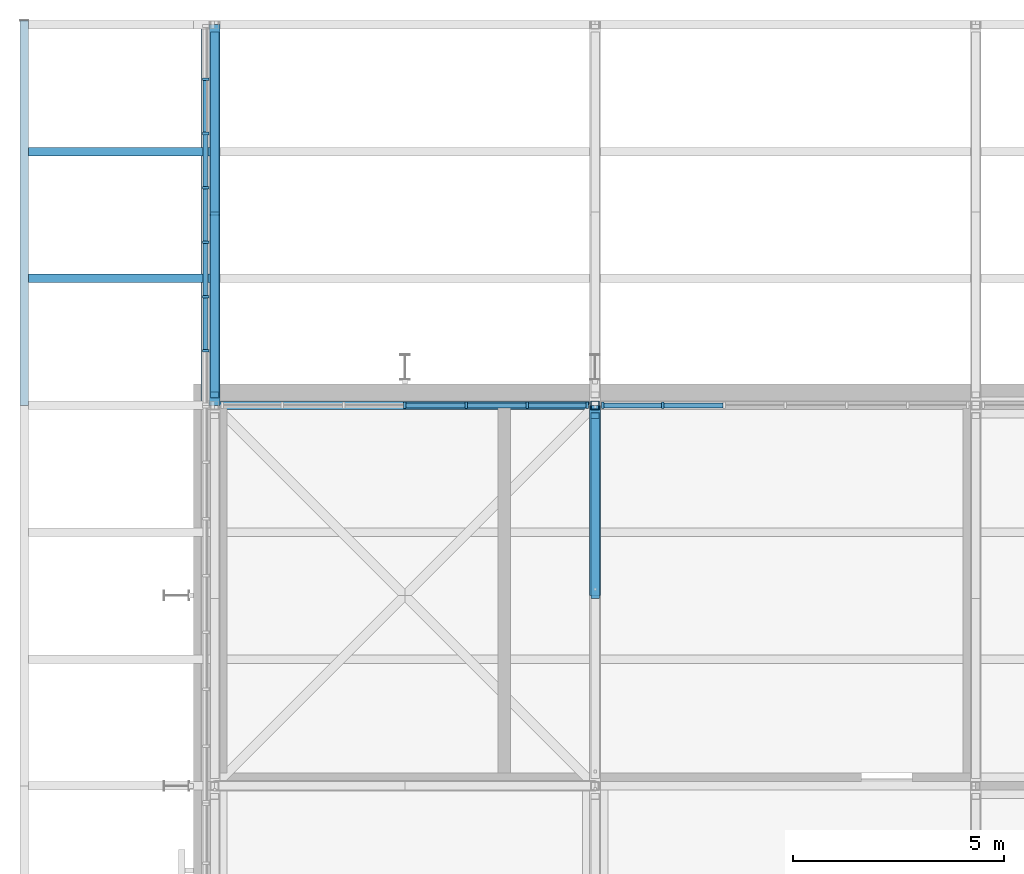
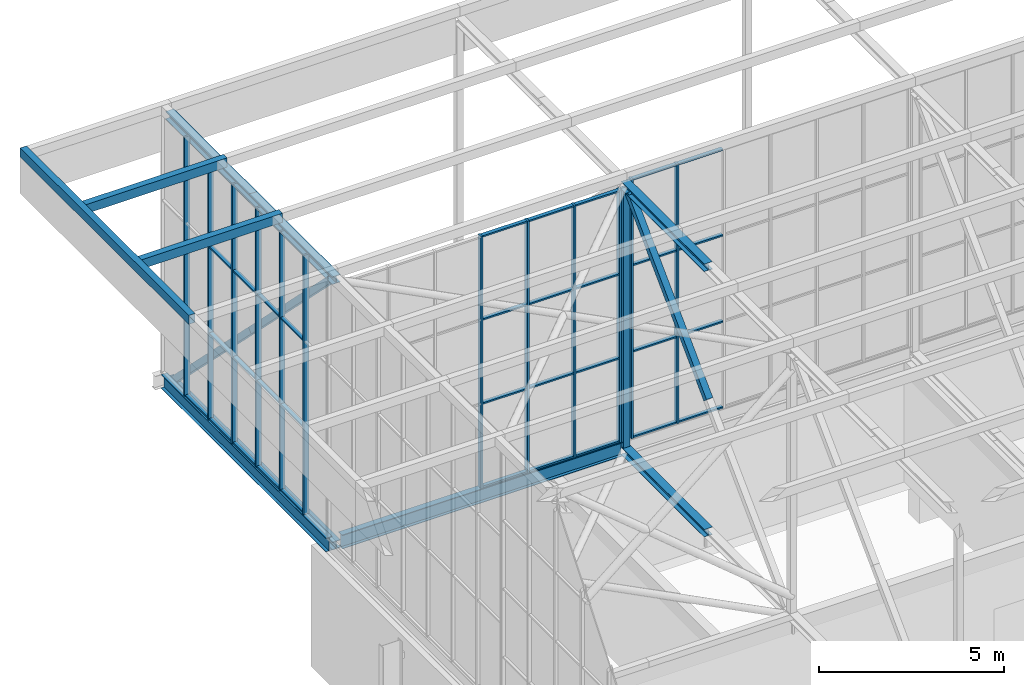
# One storey, part 113 of 646: 63 members, 2 beams, 3 elements without a shape of their own.
"""IFC4 building model written with IfcOpenShell, lengths in metres."""

from ifc_helpers import new_model, si_unit, direction, frame, origin, origin_2d, place, context, subcontext, project, spatial, rectangle, hollow_rectangle, i_section, extrude, material, material_profile, profile_set, type_object, element, aggregate, save


model = new_model("IFC4")

# Units and contexts
model_context = context("Model", 3, precision=1e-05, world=origin(), true_north=direction((0.0, 1.0)))
body_context = subcontext(model_context, "Body", "Model", "MODEL_VIEW")
ifc_project = project(units=[si_unit("LENGTHUNIT", "METRE"), si_unit("AREAUNIT", "SQUARE_METRE"), si_unit("VOLUMEUNIT", "CUBIC_METRE"), si_unit("PLANEANGLEUNIT", "RADIAN"), si_unit("MASSUNIT", "GRAM", prefix="KILO")], contexts=[model_context])

# Site, building, storey
site_placement = place(None, origin())
site = spatial("IfcSite", under=ifc_project, at=site_placement, CompositionType="ELEMENT")
building_placement = place(site_placement, origin())
building = spatial("IfcBuilding", under=site, at=building_placement, Name="Silverbay Arena", CompositionType="ELEMENT")
storey_placement = place(building_placement, frame((0.0, 0.0, 33.5)))
storey = spatial("IfcBuildingStorey", under=building, at=storey_placement, Name="L05", CompositionType="ELEMENT", Elevation=33.5)

# Curtain wall, members
ifc_material_1 = material(Name="Aluminium framed glazing", Category="aluminium")
curtain_wall_type_1 = type_object("IfcCurtainWallType", Name="Curtain wall clerestory 8693 x 8303", PredefinedType="NOTDEFINED", material=ifc_material_1)
curtain_wall_1_placement = place(storey_placement, origin())
curtain_wall_1 = element("IfcCurtainWall", 1, at=curtain_wall_1_placement, inside=storey, type_object=curtain_wall_type_1, Name="ROOF CLERESTORY CURTAIN WALL north bay 01", PredefinedType="NOTDEFINED")
ifc_material_2 = material(Name="Aluminium", Category="aluminium")
ifc_material_profile_1 = material_profile(ifc_material_2, rectangle(XDim=0.159912109375, YDim=0.06005859375, at=origin_2d()), Name="Mullion 60 x 160")
ifc_profile_set_1 = profile_set([ifc_material_profile_1], Name="Aluminium")
member_type_1 = type_object("IfcMemberType", Name="Mullion 60 x 160", PredefinedType="MULLION", material=ifc_profile_set_1)
member_1_placement = place(storey_placement, frame((58.5, 144.0, 4.4599609375), z_axis=(0.0, 0.0, 1.0), x_axis=(0.0, 1.0, 0.0)))
member_1 = element("IfcMember", 2, at=member_1_placement, type_object=member_type_1, Name="CW54 mullion 4", PredefinedType="MULLION", context=body_context, shape_type="SweptSolid", body=[
    extrude(rectangle(XDim=0.159912109375, YDim=0.06005859375, at=origin_2d()), origin(), (0.0, 0.0, 1.0), 8.303466796875),
])
member_2_placement = place(storey_placement, frame((59.94873046875, 144.0, 4.4599609375), z_axis=(0.0, 0.0, 1.0), x_axis=(0.0, 1.0, 0.0)))
member_2 = element("IfcMember", 3, at=member_2_placement, type_object=member_type_1, Name="CW54 mullion 5", PredefinedType="MULLION", context=body_context, shape_type="SweptSolid", body=[
    extrude(rectangle(XDim=0.159912109375, YDim=0.06005859375, at=origin_2d()), origin(), (0.0, 0.0, 1.0), 8.303466796875),
])
member_3_placement = place(storey_placement, frame((61.3974609375, 144.0, 4.4599609375), z_axis=(0.0, 0.0, 1.0), x_axis=(0.0, 1.0, 0.0)))
member_3 = element("IfcMember", 4, at=member_3_placement, type_object=member_type_1, Name="CW54 mullion 6", PredefinedType="MULLION", context=body_context, shape_type="SweptSolid", body=[
    extrude(rectangle(XDim=0.159912109375, YDim=0.06005859375, at=origin_2d()), origin(), (0.0, 0.0, 1.0), 8.303466796875),
])
member_4_placement = place(storey_placement, frame((62.81640625, 144.0, 4.4599609375), z_axis=(0.0, 0.0, 1.0), x_axis=(0.0, 1.0, 0.0)))
member_4 = element("IfcMember", 5, at=member_4_placement, type_object=member_type_1, Name="CW54 mullion 7", PredefinedType="MULLION", context=body_context, shape_type="SweptSolid", body=[
    extrude(rectangle(XDim=0.159912109375, YDim=0.06005859375, at=origin_2d()), origin(), (0.0, 0.0, 1.0), 8.303466796875),
])

ifc_material_3 = material(Name="Aluminium framed glazing", Category="aluminium")
curtain_wall_type_2 = type_object("IfcCurtainWallType", Name="Curtain wall clerestory 8693 x 8540", PredefinedType="NOTDEFINED", material=ifc_material_3)
curtain_wall_2_placement = place(storey_placement, origin())
curtain_wall_2 = element("IfcCurtainWall", 6, at=curtain_wall_2_placement, inside=storey, type_object=curtain_wall_type_2, Name="ROOF CLERESTORY CURTAIN WALL north bay 02", PredefinedType="NOTDEFINED")
member_5_placement = place(storey_placement, frame((63.18359375, 144.0, 4.4599609375), z_axis=(0.0, 0.0, 1.0), x_axis=(0.0, 1.0, 0.0)))
member_5 = element("IfcMember", 7, at=member_5_placement, type_object=member_type_1, Name="CW55 mullion 1", PredefinedType="MULLION", context=body_context, shape_type="SweptSolid", body=[
    extrude(rectangle(XDim=0.159912109375, YDim=0.06005859375, at=origin_2d()), origin(), (0.0, 0.0, 1.0), 8.5400390625),
])
member_6_placement = place(storey_placement, frame((64.6025390625, 144.0, 4.4599609375), z_axis=(0.0, 0.0, 1.0), x_axis=(0.0, 1.0, 0.0)))
member_6 = element("IfcMember", 8, at=member_6_placement, type_object=member_type_1, Name="CW55 mullion 2", PredefinedType="MULLION", context=body_context, shape_type="SweptSolid", body=[
    extrude(rectangle(XDim=0.159912109375, YDim=0.06005859375, at=origin_2d()), origin(), (0.0, 0.0, 1.0), 8.5400390625),
])

ifc_material_4 = material(Name="Aluminium framed glazing", Category="aluminium")
curtain_wall_type_3 = type_object("IfcCurtainWallType", Name="Curtain wall clerestory 9000 x 8547", PredefinedType="NOTDEFINED", material=ifc_material_4)
curtain_wall_3_placement = place(storey_placement, origin())
curtain_wall_3 = element("IfcCurtainWall", 9, at=curtain_wall_3_placement, inside=storey, type_object=curtain_wall_type_3, Name="ROOF GABLE CLERESTORY CURTAIN WALL west bay 16", PredefinedType="NOTDEFINED")
member_7_placement = place(storey_placement, frame((53.7900390625, 145.28564453125, 4.453369140625), z_axis=(0.0, 0.0, 1.0), x_axis=(-1.0, 0.0, 0.0)))
member_7 = element("IfcMember", 10, at=member_7_placement, type_object=member_type_1, Name="CW57 mullion 2", PredefinedType="MULLION", context=body_context, shape_type="SweptSolid", body=[
    extrude(rectangle(XDim=0.159912109375, YDim=0.06005859375, at=origin_2d()), origin(), (0.0, 0.0, 1.0), 8.546630859375),
])
member_8_placement = place(storey_placement, frame((53.7900390625, 146.571533203125, 4.453369140625), z_axis=(0.0, 0.0, 1.0), x_axis=(-1.0, 0.0, 0.0)))
member_8 = element("IfcMember", 11, at=member_8_placement, type_object=member_type_1, Name="CW57 mullion 3", PredefinedType="MULLION", context=body_context, shape_type="SweptSolid", body=[
    extrude(rectangle(XDim=0.159912109375, YDim=0.06005859375, at=origin_2d()), origin(), (0.0, 0.0, 1.0), 8.546630859375),
])
member_9_placement = place(storey_placement, frame((53.7900390625, 147.857177734375, 4.453369140625), z_axis=(0.0, 0.0, 1.0), x_axis=(-1.0, 0.0, 0.0)))
member_9 = element("IfcMember", 12, at=member_9_placement, type_object=member_type_1, Name="CW57 mullion 4", PredefinedType="MULLION", context=body_context, shape_type="SweptSolid", body=[
    extrude(rectangle(XDim=0.159912109375, YDim=0.06005859375, at=origin_2d()), origin(), (0.0, 0.0, 1.0), 8.546630859375),
])
member_10_placement = place(storey_placement, frame((53.7900390625, 149.142822265625, 4.453369140625), z_axis=(0.0, 0.0, 1.0), x_axis=(-1.0, 0.0, 0.0)))
member_10 = element("IfcMember", 13, at=member_10_placement, type_object=member_type_1, Name="CW57 mullion 5", PredefinedType="MULLION", context=body_context, shape_type="SweptSolid", body=[
    extrude(rectangle(XDim=0.159912109375, YDim=0.06005859375, at=origin_2d()), origin(), (0.0, 0.0, 1.0), 8.546630859375),
])
member_11_placement = place(storey_placement, frame((53.7900390625, 150.428466796875, 4.453369140625), z_axis=(0.0, 0.0, 1.0), x_axis=(-1.0, 0.0, 0.0)))
member_11 = element("IfcMember", 14, at=member_11_placement, type_object=member_type_1, Name="CW57 mullion 6", PredefinedType="MULLION", context=body_context, shape_type="SweptSolid", body=[
    extrude(rectangle(XDim=0.159912109375, YDim=0.06005859375, at=origin_2d()), origin(), (0.0, 0.0, 1.0), 8.546630859375),
])
member_12_placement = place(storey_placement, frame((53.7900390625, 151.71435546875, 4.453369140625), z_axis=(0.0, 0.0, 1.0), x_axis=(-1.0, 0.0, 0.0)))
member_12 = element("IfcMember", 15, at=member_12_placement, type_object=member_type_1, Name="CW57 mullion 7", PredefinedType="MULLION", context=body_context, shape_type="SweptSolid", body=[
    extrude(rectangle(XDim=0.159912109375, YDim=0.06005859375, at=origin_2d()), origin(), (0.0, 0.0, 1.0), 8.546630859375),
])

# Members
ifc_material_5 = material(Name="Steel S355", Category="steel")
ifc_material_profile_2 = material_profile(ifc_material_5, hollow_rectangle(XDim=0.199951171875, YDim=0.300048828125, WallThickness=0.008056640625, at=origin_2d()), Name="RHS 300x200x8")
ifc_profile_set_2 = profile_set([ifc_material_profile_2], Name="Steel S355")
member_type_2 = type_object("IfcMemberType", Name="Purlin RHS 300x200x8", PredefinedType="PURLIN", material=ifc_profile_set_2)
for number, where, z_axis, x_axis, name in (
    (16, (49.60009765625, 147.0, 13.14990234375), (1.0, 0.0, 0.0), (0.0, 1.0, 0.0), "ROOF PURLIN west eave line 47"),
    (17, (49.60009765625, 150.0, 13.14990234375), (1.0, 0.0, 0.0), (0.0, 1.0, 0.0), "ROOF PURLIN west eave line 48"),
):
    element("IfcMember", number, at=place(storey_placement, frame(where, z_axis=z_axis, x_axis=x_axis)), inside=storey, type_object=member_type_2, Name=name, PredefinedType="PURLIN", context=body_context, shape_type="SweptSolid", body=[
        extrude(hollow_rectangle(XDim=0.199951171875, YDim=0.300048828125, WallThickness=0.008056640625, at=origin_2d()), origin(), (0.0, 0.0, 1.0), 4.39990234375),
    ])
member_13_placement = place(storey_placement, frame((49.5, 144.0, 13.14990234375), z_axis=(0.0, 1.0, 0.0), x_axis=(-1.0, 0.0, 0.0)))
element("IfcMember", 18, at=member_13_placement, inside=storey, type_object=member_type_2, Name="ROOF PURLIN west eave edge 16", PredefinedType="PURLIN", context=body_context, shape_type="SweptSolid", body=[
    extrude(hollow_rectangle(XDim=0.199951171875, YDim=0.300048828125, WallThickness=0.008056640625, at=origin_2d()), origin(), (0.0, 0.0, 1.0), 9.10009765625),
])

# Beams
ifc_material_6 = material(Name="Steel S355", Category="steel")
ifc_material_profile_3 = material_profile(ifc_material_6, i_section(OverallWidth=0.18994140625, OverallDepth=0.453369140625, WebThickness=0.008544921875, FlangeThickness=0.0126953125, at=origin_2d()), Name="UB 457x191x67")
ifc_profile_set_3 = profile_set([ifc_material_profile_3], Name="Steel S355")
beam_type_1 = type_object("IfcBeamType", Name="Ring beam UB 457x191x67", PredefinedType="BEAM", material=ifc_profile_set_3)
beam_1_placement = place(storey_placement, frame((53.775146484375, 144.0, 4.226806640625), z_axis=(0.0, 1.0, 0.0), x_axis=(-1.0, 0.0, 0.0)))
element("IfcBeam", 19, at=beam_1_placement, inside=storey, type_object=beam_type_1, Name="RING BEAM west gable panel 16", PredefinedType="BEAM", context=body_context, shape_type="SweptSolid", body=[
    extrude(i_section(OverallWidth=0.18994140625, OverallDepth=0.453369140625, WebThickness=0.008544921875, FlangeThickness=0.0126953125, at=origin_2d()), origin(), (0.0, 0.0, 1.0), 8.905029296875),
])
ifc_material_7 = material(Name="Steel S355", Category="steel")
ifc_material_profile_4 = material_profile(ifc_material_7, i_section(OverallWidth=0.19140625, OverallDepth=0.4599609375, WebThickness=0.010009765625, FlangeThickness=0.01611328125, at=origin_2d()), Name="UB 457x191x82")
ifc_profile_set_4 = profile_set([ifc_material_profile_4], Name="Steel S355")
beam_type_2 = type_object("IfcBeamType", Name="Ring beam UB 457x191x82", PredefinedType="BEAM", material=ifc_profile_set_4)
beam_2_placement = place(storey_placement, frame((54.127197265625, 144.0, 4.22998046875), z_axis=(1.0, 0.0, 0.0), x_axis=(0.0, 1.0, 0.0)))
element("IfcBeam", 20, at=beam_2_placement, inside=storey, type_object=beam_type_2, Name="RING BEAM north facade 7-8", PredefinedType="BEAM", context=body_context, shape_type="SweptSolid", body=[
    extrude(i_section(OverallWidth=0.19140625, OverallDepth=0.4599609375, WebThickness=0.010009765625, FlangeThickness=0.01611328125, at=origin_2d()), origin(), (0.0, 0.0, 1.0), 8.74560546875),
])

# Members
ifc_material_8 = material(Name="Steel S355", Category="steel")
ifc_material_profile_5 = material_profile(ifc_material_8, i_section(OverallWidth=0.254638671875, OverallDepth=0.254150390625, WebThickness=0.008544921875, FlangeThickness=0.01416015625, at=origin_2d()), Name="UC 254x254x73")
ifc_profile_set_5 = profile_set([ifc_material_profile_5], Name="Steel S355")
member_type_3 = type_object("IfcMemberType", Name="Short-span bottom chord UC 254x254x73", PredefinedType="CHORD", material=ifc_profile_set_5)
for number, where, z_axis, x_axis, name in (
    (21, (54.0, 144.0, 4.126953125), (0.0, 1.0, 0.0), (-1.0, 0.0, 0.0), "ROOF TRUSS 7 bottom chord 16a"),
    (22, (54.0, 148.5, 4.126953125), (0.0, 1.0, 0.0), (-1.0, 0.0, 0.0), "ROOF TRUSS 7 bottom chord 16b"),
    (23, (63.0, 139.5, 4.126953125), (0.0, 1.0, 0.0), (-1.0, 0.0, 0.0), "ROOF TRUSS 8 bottom chord 15b"),
):
    element("IfcMember", number, at=place(storey_placement, frame(where, z_axis=z_axis, x_axis=x_axis)), inside=storey, type_object=member_type_3, Name=name, PredefinedType="CHORD", context=body_context, shape_type="SweptSolid", body=[
        extrude(i_section(OverallWidth=0.254638671875, OverallDepth=0.254150390625, WebThickness=0.008544921875, FlangeThickness=0.01416015625, at=origin_2d()), origin(), (0.0, 0.0, 1.0), 4.5),
    ])
ifc_material_9 = material(Name="Steel S355", Category="steel")
ifc_material_profile_6 = material_profile(ifc_material_9, i_section(OverallWidth=0.254638671875, OverallDepth=0.254150390625, WebThickness=0.008544921875, FlangeThickness=0.01416015625, at=origin_2d()), Name="UC 254x254x73")
ifc_profile_set_6 = profile_set([ifc_material_profile_6], Name="Steel S355")
member_type_4 = type_object("IfcMemberType", Name="Short-span top chord UC 254x254x73", PredefinedType="CHORD", material=ifc_profile_set_6)
for number, where, z_axis, x_axis, name in (
    (24, (54.0, 144.0, 12.873046875), (0.0, 1.0, 0.0), (-1.0, 0.0, 0.0), "ROOF TRUSS 7 top chord 16a"),
    (25, (54.0, 148.5, 12.873046875), (0.0, 1.0, 0.0), (-1.0, 0.0, 0.0), "ROOF TRUSS 7 top chord 16b"),
    (26, (63.0, 139.5, 12.873046875), (0.0, 1.0, 0.0), (-1.0, 0.0, 0.0), "ROOF TRUSS 8 top chord 15b"),
):
    element("IfcMember", number, at=place(storey_placement, frame(where, z_axis=z_axis, x_axis=x_axis)), inside=storey, type_object=member_type_4, Name=name, PredefinedType="CHORD", context=body_context, shape_type="SweptSolid", body=[
        extrude(i_section(OverallWidth=0.254638671875, OverallDepth=0.254150390625, WebThickness=0.008544921875, FlangeThickness=0.01416015625, at=origin_2d()), origin(), (0.0, 0.0, 1.0), 4.5),
    ])
ifc_material_10 = material(Name="Steel S355", Category="steel")
ifc_material_profile_7 = material_profile(ifc_material_10, hollow_rectangle(XDim=0.199951171875, YDim=0.199951171875, WallThickness=0.008056640625, at=origin_2d()), Name="SHS 200x200x8")
ifc_profile_set_7 = profile_set([ifc_material_profile_7], Name="Steel S355")
member_type_5 = type_object("IfcMemberType", Name="Short-span truss diagonal SHS 200x200x8", PredefinedType="BRACE", material=ifc_profile_set_7)
for number, where, z_axis, x_axis, name in (
    (27, (54.0, 144.24560546875, 12.745849609375), (0.0, 0.70781724692, -0.706395600894), (-1.0, 0.0, 0.0), "ROOF TRUSS 7 diagonal 16a"),
    (28, (54.0, 148.5, 8.5), (0.0, 0.70781724692, -0.706395600894), (-1.0, 0.0, 0.0), "ROOF TRUSS 7 diagonal 16b"),
    (29, (63.0, 143.75439453125, 12.745849609375), (0.0, -0.70781724692, -0.706395600894), (1.0, 0.0, 0.0), "ROOF TRUSS 8 diagonal 15a"),
):
    element("IfcMember", number, at=place(storey_placement, frame(where, z_axis=z_axis, x_axis=x_axis)), inside=storey, type_object=member_type_5, Name=name, PredefinedType="BRACE", context=body_context, shape_type="SweptSolid", body=[
        extrude(hollow_rectangle(XDim=0.199951171875, YDim=0.199951171875, WallThickness=0.008056640625, at=origin_2d()), origin(), (0.0, 0.0, 1.0), 6.010498046875),
    ])
ifc_material_11 = material(Name="Steel S355", Category="steel")
ifc_material_profile_8 = material_profile(ifc_material_11, hollow_rectangle(XDim=0.199951171875, YDim=0.199951171875, WallThickness=0.008056640625, at=origin_2d()), Name="SHS 200x200x8")
ifc_profile_set_8 = profile_set([ifc_material_profile_8], Name="Steel S355")
member_type_6 = type_object("IfcMemberType", Name="Short-span truss vertical SHS 200x200x8", PredefinedType="STRUT", material=ifc_profile_set_8)
for number, where, z_axis, x_axis, name in (
    (30, (63.0, 144.0, 4.254150390625), (0.0, 0.0, 1.0), (1.0, 0.0, 0.0), "ROOF TRUSS 8 vertical 16a"),
    (31, (63.0, 144.0, 8.5), (0.0, 0.0, 1.0), (1.0, 0.0, 0.0), "ROOF TRUSS 8 vertical 16b"),
):
    element("IfcMember", number, at=place(storey_placement, frame(where, z_axis=z_axis, x_axis=x_axis)), inside=storey, type_object=member_type_6, Name=name, PredefinedType="STRUT", context=body_context, shape_type="SweptSolid", body=[
        extrude(hollow_rectangle(XDim=0.199951171875, YDim=0.199951171875, WallThickness=0.008056640625, at=origin_2d()), origin(), (0.0, 0.0, 1.0), 4.245849609375),
    ])

# Member
ifc_material_12 = material(Name="Aluminium", Category="aluminium")
ifc_material_profile_9 = material_profile(ifc_material_12, rectangle(XDim=0.1201171875, YDim=0.050048828125, at=origin_2d()), Name="Transom 50 x 120")
ifc_profile_set_9 = profile_set([ifc_material_profile_9], Name="Aluminium")
member_type_7 = type_object("IfcMemberType", Name="Transom 50 x 120", PredefinedType="USERDEFINED", material=ifc_profile_set_9)
member_14_placement = place(storey_placement, frame((58.530029296875, 144.0, 4.485107421875), z_axis=(1.0, 0.0, 0.0), x_axis=(0.0, 1.0, 0.0)))
member_14 = element("IfcMember", 32, at=member_14_placement, type_object=member_type_7, Name="CW54 transom 4.1", ObjectType="TRANSOM", PredefinedType="USERDEFINED", context=body_context, shape_type="SweptSolid", body=[
    extrude(rectangle(XDim=0.1201171875, YDim=0.050048828125, at=origin_2d()), origin(), (0.0, 0.0, 1.0), 1.388671875),
])

member_15_placement = place(storey_placement, frame((58.530029296875, 144.0, 7.227783203125), z_axis=(1.0, 0.0, 0.0), x_axis=(0.0, 1.0, 0.0)))
member_15 = element("IfcMember", 33, at=member_15_placement, type_object=member_type_7, Name="CW54 transom 4.2", ObjectType="TRANSOM", PredefinedType="USERDEFINED", context=body_context, shape_type="SweptSolid", body=[
    extrude(rectangle(XDim=0.1201171875, YDim=0.050048828125, at=origin_2d()), origin(), (0.0, 0.0, 1.0), 1.388671875),
])

member_16_placement = place(storey_placement, frame((58.530029296875, 144.0, 9.99560546875), z_axis=(1.0, 0.0, 0.0), x_axis=(0.0, 1.0, 0.0)))
member_16 = element("IfcMember", 34, at=member_16_placement, type_object=member_type_7, Name="CW54 transom 4.3", ObjectType="TRANSOM", PredefinedType="USERDEFINED", context=body_context, shape_type="SweptSolid", body=[
    extrude(rectangle(XDim=0.1201171875, YDim=0.050048828125, at=origin_2d()), origin(), (0.0, 0.0, 1.0), 1.388671875),
])

member_17_placement = place(storey_placement, frame((58.530029296875, 144.0, 12.73828125), z_axis=(1.0, 0.0, 0.0), x_axis=(0.0, 1.0, 0.0)))
member_17 = element("IfcMember", 35, at=member_17_placement, type_object=member_type_7, Name="CW54 transom 4.4", ObjectType="TRANSOM", PredefinedType="USERDEFINED", context=body_context, shape_type="SweptSolid", body=[
    extrude(rectangle(XDim=0.1201171875, YDim=0.050048828125, at=origin_2d()), origin(), (0.0, 0.0, 1.0), 1.388671875),
])

member_18_placement = place(storey_placement, frame((59.978759765625, 144.0, 4.485107421875), z_axis=(1.0, 0.0, 0.0), x_axis=(0.0, 1.0, 0.0)))
member_18 = element("IfcMember", 36, at=member_18_placement, type_object=member_type_7, Name="CW54 transom 5.1", ObjectType="TRANSOM", PredefinedType="USERDEFINED", context=body_context, shape_type="SweptSolid", body=[
    extrude(rectangle(XDim=0.1201171875, YDim=0.050048828125, at=origin_2d()), origin(), (0.0, 0.0, 1.0), 1.388671875),
])

member_19_placement = place(storey_placement, frame((59.978759765625, 144.0, 7.227783203125), z_axis=(1.0, 0.0, 0.0), x_axis=(0.0, 1.0, 0.0)))
member_19 = element("IfcMember", 37, at=member_19_placement, type_object=member_type_7, Name="CW54 transom 5.2", ObjectType="TRANSOM", PredefinedType="USERDEFINED", context=body_context, shape_type="SweptSolid", body=[
    extrude(rectangle(XDim=0.1201171875, YDim=0.050048828125, at=origin_2d()), origin(), (0.0, 0.0, 1.0), 1.388671875),
])

member_20_placement = place(storey_placement, frame((59.978759765625, 144.0, 9.99560546875), z_axis=(1.0, 0.0, 0.0), x_axis=(0.0, 1.0, 0.0)))
member_20 = element("IfcMember", 38, at=member_20_placement, type_object=member_type_7, Name="CW54 transom 5.3", ObjectType="TRANSOM", PredefinedType="USERDEFINED", context=body_context, shape_type="SweptSolid", body=[
    extrude(rectangle(XDim=0.1201171875, YDim=0.050048828125, at=origin_2d()), origin(), (0.0, 0.0, 1.0), 1.388671875),
])

member_21_placement = place(storey_placement, frame((59.978759765625, 144.0, 12.73828125), z_axis=(1.0, 0.0, 0.0), x_axis=(0.0, 1.0, 0.0)))
member_21 = element("IfcMember", 39, at=member_21_placement, type_object=member_type_7, Name="CW54 transom 5.4", ObjectType="TRANSOM", PredefinedType="USERDEFINED", context=body_context, shape_type="SweptSolid", body=[
    extrude(rectangle(XDim=0.1201171875, YDim=0.050048828125, at=origin_2d()), origin(), (0.0, 0.0, 1.0), 1.388671875),
])

member_22_placement = place(storey_placement, frame((61.427490234375, 144.0, 4.485107421875), z_axis=(1.0, 0.0, 0.0), x_axis=(0.0, 1.0, 0.0)))
member_22 = element("IfcMember", 40, at=member_22_placement, type_object=member_type_7, Name="CW54 transom 6.1", ObjectType="TRANSOM", PredefinedType="USERDEFINED", context=body_context, shape_type="SweptSolid", body=[
    extrude(rectangle(XDim=0.1201171875, YDim=0.050048828125, at=origin_2d()), origin(), (0.0, 0.0, 1.0), 1.35888671875),
])

member_23_placement = place(storey_placement, frame((61.427490234375, 144.0, 7.227783203125), z_axis=(1.0, 0.0, 0.0), x_axis=(0.0, 1.0, 0.0)))
member_23 = element("IfcMember", 41, at=member_23_placement, type_object=member_type_7, Name="CW54 transom 6.2", ObjectType="TRANSOM", PredefinedType="USERDEFINED", context=body_context, shape_type="SweptSolid", body=[
    extrude(rectangle(XDim=0.1201171875, YDim=0.050048828125, at=origin_2d()), origin(), (0.0, 0.0, 1.0), 1.35888671875),
])

member_24_placement = place(storey_placement, frame((61.427490234375, 144.0, 9.99560546875), z_axis=(1.0, 0.0, 0.0), x_axis=(0.0, 1.0, 0.0)))
member_24 = element("IfcMember", 42, at=member_24_placement, type_object=member_type_7, Name="CW54 transom 6.3", ObjectType="TRANSOM", PredefinedType="USERDEFINED", context=body_context, shape_type="SweptSolid", body=[
    extrude(rectangle(XDim=0.1201171875, YDim=0.050048828125, at=origin_2d()), origin(), (0.0, 0.0, 1.0), 1.35888671875),
])

member_25_placement = place(storey_placement, frame((61.427490234375, 144.0, 12.73828125), z_axis=(1.0, 0.0, 0.0), x_axis=(0.0, 1.0, 0.0)))
member_25 = element("IfcMember", 43, at=member_25_placement, type_object=member_type_7, Name="CW54 transom 6.4", ObjectType="TRANSOM", PredefinedType="USERDEFINED", context=body_context, shape_type="SweptSolid", body=[
    extrude(rectangle(XDim=0.1201171875, YDim=0.050048828125, at=origin_2d()), origin(), (0.0, 0.0, 1.0), 1.35888671875),
])

aggregate(curtain_wall_1, [member_1, member_2, member_3, member_4, member_14, member_15, member_16, member_17, member_18, member_19, member_20, member_21, member_22, member_23, member_24, member_25])

member_26_placement = place(storey_placement, frame((63.213623046875, 144.0, 4.485107421875), z_axis=(1.0, 0.0, 0.0), x_axis=(0.0, 1.0, 0.0)))
member_26 = element("IfcMember", 44, at=member_26_placement, type_object=member_type_7, Name="CW55 transom 1.1", ObjectType="TRANSOM", PredefinedType="USERDEFINED", context=body_context, shape_type="SweptSolid", body=[
    extrude(rectangle(XDim=0.1201171875, YDim=0.050048828125, at=origin_2d()), origin(), (0.0, 0.0, 1.0), 1.35888671875),
])

member_27_placement = place(storey_placement, frame((63.213623046875, 144.0, 7.306640625), z_axis=(1.0, 0.0, 0.0), x_axis=(0.0, 1.0, 0.0)))
member_27 = element("IfcMember", 45, at=member_27_placement, type_object=member_type_7, Name="CW55 transom 1.2", ObjectType="TRANSOM", PredefinedType="USERDEFINED", context=body_context, shape_type="SweptSolid", body=[
    extrude(rectangle(XDim=0.1201171875, YDim=0.050048828125, at=origin_2d()), origin(), (0.0, 0.0, 1.0), 1.35888671875),
])

member_28_placement = place(storey_placement, frame((63.213623046875, 144.0, 10.1533203125), z_axis=(1.0, 0.0, 0.0), x_axis=(0.0, 1.0, 0.0)))
member_28 = element("IfcMember", 46, at=member_28_placement, type_object=member_type_7, Name="CW55 transom 1.3", ObjectType="TRANSOM", PredefinedType="USERDEFINED", context=body_context, shape_type="SweptSolid", body=[
    extrude(rectangle(XDim=0.1201171875, YDim=0.050048828125, at=origin_2d()), origin(), (0.0, 0.0, 1.0), 1.35888671875),
])

member_29_placement = place(storey_placement, frame((63.213623046875, 144.0, 12.97509765625), z_axis=(1.0, 0.0, 0.0), x_axis=(0.0, 1.0, 0.0)))
member_29 = element("IfcMember", 47, at=member_29_placement, type_object=member_type_7, Name="CW55 transom 1.4", ObjectType="TRANSOM", PredefinedType="USERDEFINED", context=body_context, shape_type="SweptSolid", body=[
    extrude(rectangle(XDim=0.1201171875, YDim=0.050048828125, at=origin_2d()), origin(), (0.0, 0.0, 1.0), 1.35888671875),
])

member_30_placement = place(storey_placement, frame((64.632568359375, 144.0, 4.485107421875), z_axis=(1.0, 0.0, 0.0), x_axis=(0.0, 1.0, 0.0)))
member_30 = element("IfcMember", 48, at=member_30_placement, type_object=member_type_7, Name="CW55 transom 2.1", ObjectType="TRANSOM", PredefinedType="USERDEFINED", context=body_context, shape_type="SweptSolid", body=[
    extrude(rectangle(XDim=0.1201171875, YDim=0.050048828125, at=origin_2d()), origin(), (0.0, 0.0, 1.0), 1.388671875),
])

member_31_placement = place(storey_placement, frame((64.632568359375, 144.0, 7.306640625), z_axis=(1.0, 0.0, 0.0), x_axis=(0.0, 1.0, 0.0)))
member_31 = element("IfcMember", 49, at=member_31_placement, type_object=member_type_7, Name="CW55 transom 2.2", ObjectType="TRANSOM", PredefinedType="USERDEFINED", context=body_context, shape_type="SweptSolid", body=[
    extrude(rectangle(XDim=0.1201171875, YDim=0.050048828125, at=origin_2d()), origin(), (0.0, 0.0, 1.0), 1.388671875),
])

member_32_placement = place(storey_placement, frame((64.632568359375, 144.0, 10.1533203125), z_axis=(1.0, 0.0, 0.0), x_axis=(0.0, 1.0, 0.0)))
member_32 = element("IfcMember", 50, at=member_32_placement, type_object=member_type_7, Name="CW55 transom 2.3", ObjectType="TRANSOM", PredefinedType="USERDEFINED", context=body_context, shape_type="SweptSolid", body=[
    extrude(rectangle(XDim=0.1201171875, YDim=0.050048828125, at=origin_2d()), origin(), (0.0, 0.0, 1.0), 1.388671875),
])

member_33_placement = place(storey_placement, frame((64.632568359375, 144.0, 12.97509765625), z_axis=(1.0, 0.0, 0.0), x_axis=(0.0, 1.0, 0.0)))
member_33 = element("IfcMember", 51, at=member_33_placement, type_object=member_type_7, Name="CW55 transom 2.4", ObjectType="TRANSOM", PredefinedType="USERDEFINED", context=body_context, shape_type="SweptSolid", body=[
    extrude(rectangle(XDim=0.1201171875, YDim=0.050048828125, at=origin_2d()), origin(), (0.0, 0.0, 1.0), 1.388671875),
])

aggregate(curtain_wall_2, [member_5, member_6, member_26, member_27, member_28, member_29, member_30, member_31, member_32, member_33])

member_34_placement = place(storey_placement, frame((53.7900390625, 145.315673828125, 4.478515625), z_axis=(0.0, 1.0, 0.0), x_axis=(-1.0, 0.0, 0.0)))
member_34 = element("IfcMember", 52, at=member_34_placement, type_object=member_type_7, Name="CW57 transom 2.1", ObjectType="TRANSOM", PredefinedType="USERDEFINED", context=body_context, shape_type="SweptSolid", body=[
    extrude(rectangle(XDim=0.1201171875, YDim=0.050048828125, at=origin_2d()), origin(), (0.0, 0.0, 1.0), 1.225830078125),
])

member_35_placement = place(storey_placement, frame((53.7900390625, 145.315673828125, 7.30224609375), z_axis=(0.0, 1.0, 0.0), x_axis=(-1.0, 0.0, 0.0)))
member_35 = element("IfcMember", 53, at=member_35_placement, type_object=member_type_7, Name="CW57 transom 2.2", ObjectType="TRANSOM", PredefinedType="USERDEFINED", context=body_context, shape_type="SweptSolid", body=[
    extrude(rectangle(XDim=0.1201171875, YDim=0.050048828125, at=origin_2d()), origin(), (0.0, 0.0, 1.0), 1.225830078125),
])

member_36_placement = place(storey_placement, frame((53.7900390625, 145.315673828125, 10.151123046875), z_axis=(0.0, 1.0, 0.0), x_axis=(-1.0, 0.0, 0.0)))
member_36 = element("IfcMember", 54, at=member_36_placement, type_object=member_type_7, Name="CW57 transom 2.3", ObjectType="TRANSOM", PredefinedType="USERDEFINED", context=body_context, shape_type="SweptSolid", body=[
    extrude(rectangle(XDim=0.1201171875, YDim=0.050048828125, at=origin_2d()), origin(), (0.0, 0.0, 1.0), 1.225830078125),
])

member_37_placement = place(storey_placement, frame((53.7900390625, 145.315673828125, 12.97509765625), z_axis=(0.0, 1.0, 0.0), x_axis=(-1.0, 0.0, 0.0)))
member_37 = element("IfcMember", 55, at=member_37_placement, type_object=member_type_7, Name="CW57 transom 2.4", ObjectType="TRANSOM", PredefinedType="USERDEFINED", context=body_context, shape_type="SweptSolid", body=[
    extrude(rectangle(XDim=0.1201171875, YDim=0.050048828125, at=origin_2d()), origin(), (0.0, 0.0, 1.0), 1.225830078125),
])

member_38_placement = place(storey_placement, frame((53.7900390625, 146.601318359375, 4.478515625), z_axis=(0.0, 1.0, 0.0), x_axis=(-1.0, 0.0, 0.0)))
member_38 = element("IfcMember", 56, at=member_38_placement, type_object=member_type_7, Name="CW57 transom 3.1", ObjectType="TRANSOM", PredefinedType="USERDEFINED", context=body_context, shape_type="SweptSolid", body=[
    extrude(rectangle(XDim=0.1201171875, YDim=0.050048828125, at=origin_2d()), origin(), (0.0, 0.0, 1.0), 1.225830078125),
])

member_39_placement = place(storey_placement, frame((53.7900390625, 146.601318359375, 7.30224609375), z_axis=(0.0, 1.0, 0.0), x_axis=(-1.0, 0.0, 0.0)))
member_39 = element("IfcMember", 57, at=member_39_placement, type_object=member_type_7, Name="CW57 transom 3.2", ObjectType="TRANSOM", PredefinedType="USERDEFINED", context=body_context, shape_type="SweptSolid", body=[
    extrude(rectangle(XDim=0.1201171875, YDim=0.050048828125, at=origin_2d()), origin(), (0.0, 0.0, 1.0), 1.225830078125),
])

member_40_placement = place(storey_placement, frame((53.7900390625, 146.601318359375, 10.151123046875), z_axis=(0.0, 1.0, 0.0), x_axis=(-1.0, 0.0, 0.0)))
member_40 = element("IfcMember", 58, at=member_40_placement, type_object=member_type_7, Name="CW57 transom 3.3", ObjectType="TRANSOM", PredefinedType="USERDEFINED", context=body_context, shape_type="SweptSolid", body=[
    extrude(rectangle(XDim=0.1201171875, YDim=0.050048828125, at=origin_2d()), origin(), (0.0, 0.0, 1.0), 1.225830078125),
])

member_41_placement = place(storey_placement, frame((53.7900390625, 146.601318359375, 12.97509765625), z_axis=(0.0, 1.0, 0.0), x_axis=(-1.0, 0.0, 0.0)))
member_41 = element("IfcMember", 59, at=member_41_placement, type_object=member_type_7, Name="CW57 transom 3.4", ObjectType="TRANSOM", PredefinedType="USERDEFINED", context=body_context, shape_type="SweptSolid", body=[
    extrude(rectangle(XDim=0.1201171875, YDim=0.050048828125, at=origin_2d()), origin(), (0.0, 0.0, 1.0), 1.225830078125),
])

member_42_placement = place(storey_placement, frame((53.7900390625, 147.88720703125, 4.478515625), z_axis=(0.0, 1.0, 0.0), x_axis=(-1.0, 0.0, 0.0)))
member_42 = element("IfcMember", 60, at=member_42_placement, type_object=member_type_7, Name="CW57 transom 4.1", ObjectType="TRANSOM", PredefinedType="USERDEFINED", context=body_context, shape_type="SweptSolid", body=[
    extrude(rectangle(XDim=0.1201171875, YDim=0.050048828125, at=origin_2d()), origin(), (0.0, 0.0, 1.0), 1.2255859375),
])

member_43_placement = place(storey_placement, frame((53.7900390625, 147.88720703125, 7.30224609375), z_axis=(0.0, 1.0, 0.0), x_axis=(-1.0, 0.0, 0.0)))
member_43 = element("IfcMember", 61, at=member_43_placement, type_object=member_type_7, Name="CW57 transom 4.2", ObjectType="TRANSOM", PredefinedType="USERDEFINED", context=body_context, shape_type="SweptSolid", body=[
    extrude(rectangle(XDim=0.1201171875, YDim=0.050048828125, at=origin_2d()), origin(), (0.0, 0.0, 1.0), 1.2255859375),
])

member_44_placement = place(storey_placement, frame((53.7900390625, 147.88720703125, 10.151123046875), z_axis=(0.0, 1.0, 0.0), x_axis=(-1.0, 0.0, 0.0)))
member_44 = element("IfcMember", 62, at=member_44_placement, type_object=member_type_7, Name="CW57 transom 4.3", ObjectType="TRANSOM", PredefinedType="USERDEFINED", context=body_context, shape_type="SweptSolid", body=[
    extrude(rectangle(XDim=0.1201171875, YDim=0.050048828125, at=origin_2d()), origin(), (0.0, 0.0, 1.0), 1.2255859375),
])

member_45_placement = place(storey_placement, frame((53.7900390625, 147.88720703125, 12.97509765625), z_axis=(0.0, 1.0, 0.0), x_axis=(-1.0, 0.0, 0.0)))
member_45 = element("IfcMember", 63, at=member_45_placement, type_object=member_type_7, Name="CW57 transom 4.4", ObjectType="TRANSOM", PredefinedType="USERDEFINED", context=body_context, shape_type="SweptSolid", body=[
    extrude(rectangle(XDim=0.1201171875, YDim=0.050048828125, at=origin_2d()), origin(), (0.0, 0.0, 1.0), 1.2255859375),
])

member_46_placement = place(storey_placement, frame((53.7900390625, 149.1728515625, 4.478515625), z_axis=(0.0, 1.0, 0.0), x_axis=(-1.0, 0.0, 0.0)))
member_46 = element("IfcMember", 64, at=member_46_placement, type_object=member_type_7, Name="CW57 transom 5.1", ObjectType="TRANSOM", PredefinedType="USERDEFINED", context=body_context, shape_type="SweptSolid", body=[
    extrude(rectangle(XDim=0.1201171875, YDim=0.050048828125, at=origin_2d()), origin(), (0.0, 0.0, 1.0), 1.225830078125),
])

member_47_placement = place(storey_placement, frame((53.7900390625, 149.1728515625, 7.30224609375), z_axis=(0.0, 1.0, 0.0), x_axis=(-1.0, 0.0, 0.0)))
member_47 = element("IfcMember", 65, at=member_47_placement, type_object=member_type_7, Name="CW57 transom 5.2", ObjectType="TRANSOM", PredefinedType="USERDEFINED", context=body_context, shape_type="SweptSolid", body=[
    extrude(rectangle(XDim=0.1201171875, YDim=0.050048828125, at=origin_2d()), origin(), (0.0, 0.0, 1.0), 1.225830078125),
])

member_48_placement = place(storey_placement, frame((53.7900390625, 149.1728515625, 10.151123046875), z_axis=(0.0, 1.0, 0.0), x_axis=(-1.0, 0.0, 0.0)))
member_48 = element("IfcMember", 66, at=member_48_placement, type_object=member_type_7, Name="CW57 transom 5.3", ObjectType="TRANSOM", PredefinedType="USERDEFINED", context=body_context, shape_type="SweptSolid", body=[
    extrude(rectangle(XDim=0.1201171875, YDim=0.050048828125, at=origin_2d()), origin(), (0.0, 0.0, 1.0), 1.225830078125),
])

member_49_placement = place(storey_placement, frame((53.7900390625, 149.1728515625, 12.97509765625), z_axis=(0.0, 1.0, 0.0), x_axis=(-1.0, 0.0, 0.0)))
member_49 = element("IfcMember", 67, at=member_49_placement, type_object=member_type_7, Name="CW57 transom 5.4", ObjectType="TRANSOM", PredefinedType="USERDEFINED", context=body_context, shape_type="SweptSolid", body=[
    extrude(rectangle(XDim=0.1201171875, YDim=0.050048828125, at=origin_2d()), origin(), (0.0, 0.0, 1.0), 1.225830078125),
])

member_50_placement = place(storey_placement, frame((53.7900390625, 150.45849609375, 4.478515625), z_axis=(0.0, 1.0, 0.0), x_axis=(-1.0, 0.0, 0.0)))
member_50 = element("IfcMember", 68, at=member_50_placement, type_object=member_type_7, Name="CW57 transom 6.1", ObjectType="TRANSOM", PredefinedType="USERDEFINED", context=body_context, shape_type="SweptSolid", body=[
    extrude(rectangle(XDim=0.1201171875, YDim=0.050048828125, at=origin_2d()), origin(), (0.0, 0.0, 1.0), 1.225830078125),
])

aggregate(curtain_wall_3, [member_7, member_8, member_9, member_10, member_11, member_12, member_34, member_35, member_36, member_37, member_38, member_39, member_40, member_41, member_42, member_43, member_44, member_45, member_46, member_47, member_48, member_49, member_50])

save(model, "model.ifc")
